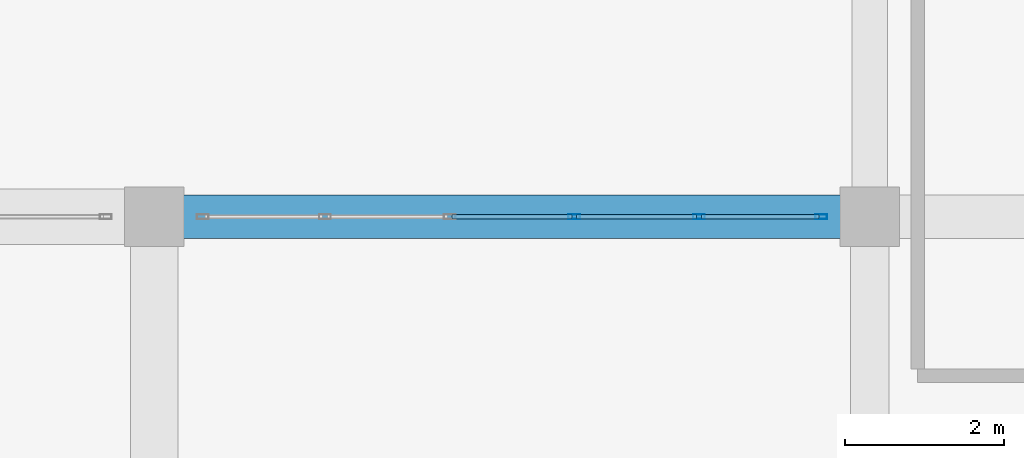
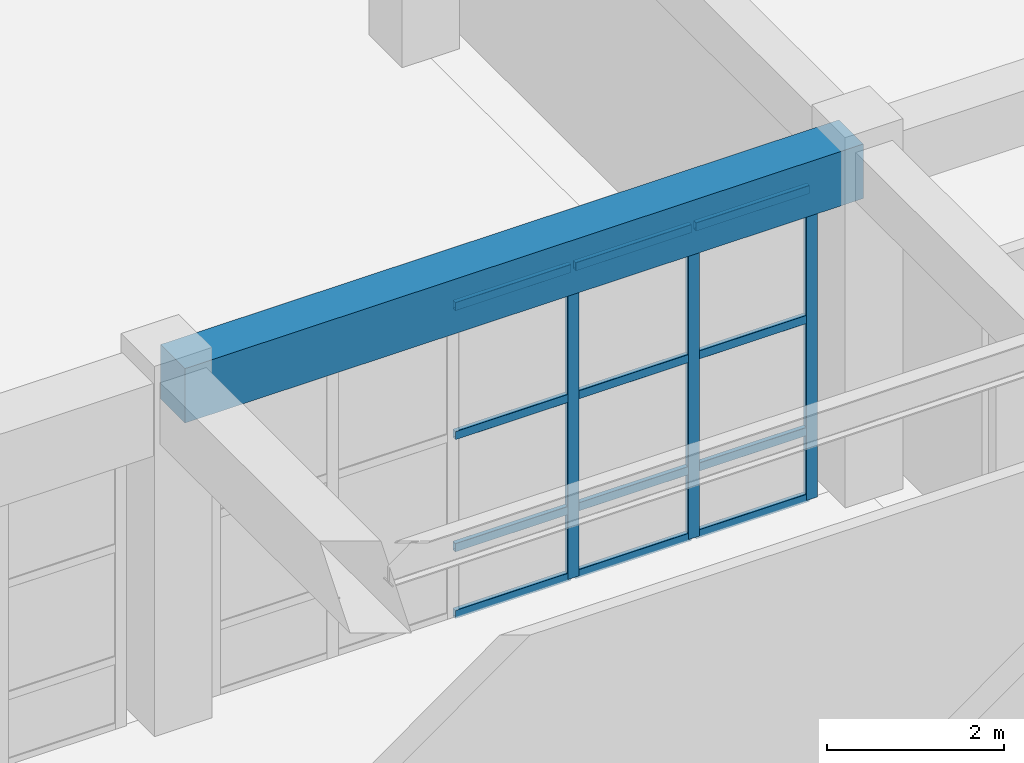
# One storey, part 79 of 128: 15 members, 1 beam, 1 element without a shape of its own.
"""IFC4 building model written with IfcOpenShell, lengths in metres."""

from ifc_helpers import new_model, si_unit, direction, frame, origin, origin_2d, place, context, subcontext, project, spatial, rectangle, hollow_rectangle, extrude, material, material_profile, profile_set, type_object, element, aggregate, save


model = new_model("IFC4")

# Units and contexts
model_context = context("Model", 3, precision=1e-05, world=origin(), true_north=direction((0.0, 1.0)))
body_context = subcontext(model_context, "Body", "Model", "MODEL_VIEW")
ifc_project = project(units=[si_unit("LENGTHUNIT", "METRE"), si_unit("AREAUNIT", "SQUARE_METRE"), si_unit("VOLUMEUNIT", "CUBIC_METRE"), si_unit("PLANEANGLEUNIT", "RADIAN"), si_unit("MASSUNIT", "GRAM", prefix="KILO")], contexts=[model_context])

# Site, building, storey
site_placement = place(None, origin())
site = spatial("IfcSite", under=ifc_project, at=site_placement, CompositionType="ELEMENT")
building_placement = place(site_placement, origin())
building = spatial("IfcBuilding", under=site, at=building_placement, Name="Miravela Opera House", CompositionType="ELEMENT")
storey_placement = place(building_placement, origin())
storey = spatial("IfcBuildingStorey", under=building, at=storey_placement, Name="L00", CompositionType="ELEMENT", Elevation=0.0)

# Curtain wall, members
ifc_material_1 = material(Name="Anodised architectural bronze aluminium 6063-T6", Category="aluminium")
curtain_wall_type = type_object("IfcCurtainWallType", Name="ARC-CW-05", PredefinedType="NOTDEFINED", material=ifc_material_1)
curtain_wall_placement = place(storey_placement, origin())
curtain_wall = element("IfcCurtainWall", 1, at=curtain_wall_placement, inside=storey, type_object=curtain_wall_type, Name="Courtyard Arcade Curtain Wall CW-L00-164", PredefinedType="NOTDEFINED")
ifc_material_profile_1 = material_profile(ifc_material_1, hollow_rectangle(XDim=0.06005859375, YDim=0.14990234375, WallThickness=0.00390625, InnerFilletRadius=0.001953125, OuterFilletRadius=0.00390625, at=origin_2d()), Name="CWM-60X150")
ifc_profile_set_1 = profile_set([ifc_material_profile_1])
member_type_1 = type_object("IfcMemberType", Name="ARC-CWM-150", PredefinedType="MULLION", material=ifc_profile_set_1)
member_1_placement = place(storey_placement, frame((140.283935546875, 84.0, 0.0), z_axis=(0.0, 0.0, 1.0), x_axis=(0.0, 1.0, 0.0)))
member_1 = element("IfcMember", 2, at=member_1_placement, type_object=member_type_1, Name="CW-05 mullion 4", PredefinedType="MULLION", context=body_context, shape_type="SweptSolid", body=[
    extrude(hollow_rectangle(XDim=0.06005859375, YDim=0.14990234375, WallThickness=0.00390625, InnerFilletRadius=0.001953125, OuterFilletRadius=0.00390625, at=origin_2d()), origin(), (0.0, 0.0, 1.0), 4.300048828125),
])
member_2_placement = place(storey_placement, frame((141.85205078125, 84.0, 0.0), z_axis=(0.0, 0.0, 1.0), x_axis=(0.0, 1.0, 0.0)))
member_2 = element("IfcMember", 3, at=member_2_placement, type_object=member_type_1, Name="CW-05 mullion 5", PredefinedType="MULLION", context=body_context, shape_type="SweptSolid", body=[
    extrude(hollow_rectangle(XDim=0.06005859375, YDim=0.14990234375, WallThickness=0.00390625, InnerFilletRadius=0.001953125, OuterFilletRadius=0.00390625, at=origin_2d()), origin(), (0.0, 0.0, 1.0), 4.300048828125),
])
member_3_placement = place(storey_placement, frame((143.389892578125, 84.0, 0.0), z_axis=(0.0, 0.0, 1.0), x_axis=(0.0, 1.0, 0.0)))
member_3 = element("IfcMember", 4, at=member_3_placement, type_object=member_type_1, Name="CW-05 mullion 6", PredefinedType="MULLION", context=body_context, shape_type="SweptSolid", body=[
    extrude(hollow_rectangle(XDim=0.06005859375, YDim=0.14990234375, WallThickness=0.00390625, InnerFilletRadius=0.001953125, OuterFilletRadius=0.00390625, at=origin_2d()), origin(), (0.0, 0.0, 1.0), 4.300048828125),
])
ifc_material_profile_2 = material_profile(ifc_material_1, hollow_rectangle(XDim=0.06005859375, YDim=0.114990234375, WallThickness=0.00390625, InnerFilletRadius=0.001953125, OuterFilletRadius=0.00390625, at=origin_2d()), Name="CWT-60X115")
ifc_profile_set_2 = profile_set([ifc_material_profile_2])
member_type_2 = type_object("IfcMemberType", Name="ARC-CWT-115", PredefinedType="USERDEFINED", material=ifc_profile_set_2)
member_4_placement = place(storey_placement, frame((138.74609375, 84.0, 0.030029296875), z_axis=(1.0, 0.0, 0.0), x_axis=(0.0, 1.0, 0.0)))
member_4 = element("IfcMember", 5, at=member_4_placement, type_object=member_type_2, Name="CW-05 transom 3.1", ObjectType="TRANSOM", PredefinedType="USERDEFINED", context=body_context, shape_type="SweptSolid", body=[
    extrude(hollow_rectangle(XDim=0.06005859375, YDim=0.114990234375, WallThickness=0.00390625, InnerFilletRadius=0.001953125, OuterFilletRadius=0.00390625, at=origin_2d()), origin(), (0.0, 0.0, 1.0), 1.5078125),
])
member_5_placement = place(storey_placement, frame((138.74609375, 84.0, 0.949951171875), z_axis=(1.0, 0.0, 0.0), x_axis=(0.0, 1.0, 0.0)))
member_5 = element("IfcMember", 6, at=member_5_placement, type_object=member_type_2, Name="CW-05 transom 3.2", ObjectType="TRANSOM", PredefinedType="USERDEFINED", context=body_context, shape_type="SweptSolid", body=[
    extrude(hollow_rectangle(XDim=0.06005859375, YDim=0.114990234375, WallThickness=0.00390625, InnerFilletRadius=0.001953125, OuterFilletRadius=0.00390625, at=origin_2d()), origin(), (0.0, 0.0, 1.0), 1.5078125),
])
member_6_placement = place(storey_placement, frame((138.74609375, 84.0, 2.493896484375), z_axis=(1.0, 0.0, 0.0), x_axis=(0.0, 1.0, 0.0)))
member_6 = element("IfcMember", 7, at=member_6_placement, type_object=member_type_2, Name="CW-05 transom 3.3", ObjectType="TRANSOM", PredefinedType="USERDEFINED", context=body_context, shape_type="SweptSolid", body=[
    extrude(hollow_rectangle(XDim=0.06005859375, YDim=0.114990234375, WallThickness=0.00390625, InnerFilletRadius=0.001953125, OuterFilletRadius=0.00390625, at=origin_2d()), origin(), (0.0, 0.0, 1.0), 1.5078125),
])
member_7_placement = place(storey_placement, frame((138.74609375, 84.0, 4.27001953125), z_axis=(1.0, 0.0, 0.0), x_axis=(0.0, 1.0, 0.0)))
member_7 = element("IfcMember", 8, at=member_7_placement, type_object=member_type_2, Name="CW-05 transom 3.4", ObjectType="TRANSOM", PredefinedType="USERDEFINED", context=body_context, shape_type="SweptSolid", body=[
    extrude(hollow_rectangle(XDim=0.06005859375, YDim=0.114990234375, WallThickness=0.00390625, InnerFilletRadius=0.001953125, OuterFilletRadius=0.00390625, at=origin_2d()), origin(), (0.0, 0.0, 1.0), 1.5078125),
])
member_8_placement = place(storey_placement, frame((140.31396484375, 84.0, 0.030029296875), z_axis=(1.0, 0.0, 0.0), x_axis=(0.0, 1.0, 0.0)))
member_8 = element("IfcMember", 9, at=member_8_placement, type_object=member_type_2, Name="CW-05 transom 4.1", ObjectType="TRANSOM", PredefinedType="USERDEFINED", context=body_context, shape_type="SweptSolid", body=[
    extrude(hollow_rectangle(XDim=0.06005859375, YDim=0.114990234375, WallThickness=0.00390625, InnerFilletRadius=0.001953125, OuterFilletRadius=0.00390625, at=origin_2d()), origin(), (0.0, 0.0, 1.0), 1.508056640625),
])
member_9_placement = place(storey_placement, frame((140.31396484375, 84.0, 0.949951171875), z_axis=(1.0, 0.0, 0.0), x_axis=(0.0, 1.0, 0.0)))
member_9 = element("IfcMember", 10, at=member_9_placement, type_object=member_type_2, Name="CW-05 transom 4.2", ObjectType="TRANSOM", PredefinedType="USERDEFINED", context=body_context, shape_type="SweptSolid", body=[
    extrude(hollow_rectangle(XDim=0.06005859375, YDim=0.114990234375, WallThickness=0.00390625, InnerFilletRadius=0.001953125, OuterFilletRadius=0.00390625, at=origin_2d()), origin(), (0.0, 0.0, 1.0), 1.508056640625),
])
member_10_placement = place(storey_placement, frame((140.31396484375, 84.0, 2.493896484375), z_axis=(1.0, 0.0, 0.0), x_axis=(0.0, 1.0, 0.0)))
member_10 = element("IfcMember", 11, at=member_10_placement, type_object=member_type_2, Name="CW-05 transom 4.3", ObjectType="TRANSOM", PredefinedType="USERDEFINED", context=body_context, shape_type="SweptSolid", body=[
    extrude(hollow_rectangle(XDim=0.06005859375, YDim=0.114990234375, WallThickness=0.00390625, InnerFilletRadius=0.001953125, OuterFilletRadius=0.00390625, at=origin_2d()), origin(), (0.0, 0.0, 1.0), 1.508056640625),
])
member_11_placement = place(storey_placement, frame((140.31396484375, 84.0, 4.27001953125), z_axis=(1.0, 0.0, 0.0), x_axis=(0.0, 1.0, 0.0)))
member_11 = element("IfcMember", 12, at=member_11_placement, type_object=member_type_2, Name="CW-05 transom 4.4", ObjectType="TRANSOM", PredefinedType="USERDEFINED", context=body_context, shape_type="SweptSolid", body=[
    extrude(hollow_rectangle(XDim=0.06005859375, YDim=0.114990234375, WallThickness=0.00390625, InnerFilletRadius=0.001953125, OuterFilletRadius=0.00390625, at=origin_2d()), origin(), (0.0, 0.0, 1.0), 1.508056640625),
])
member_12_placement = place(storey_placement, frame((141.882080078125, 84.0, 0.030029296875), z_axis=(1.0, 0.0, 0.0), x_axis=(0.0, 1.0, 0.0)))
member_12 = element("IfcMember", 13, at=member_12_placement, type_object=member_type_2, Name="CW-05 transom 5.1", ObjectType="TRANSOM", PredefinedType="USERDEFINED", context=body_context, shape_type="SweptSolid", body=[
    extrude(hollow_rectangle(XDim=0.06005859375, YDim=0.114990234375, WallThickness=0.00390625, InnerFilletRadius=0.001953125, OuterFilletRadius=0.00390625, at=origin_2d()), origin(), (0.0, 0.0, 1.0), 1.47802734375),
])
member_13_placement = place(storey_placement, frame((141.882080078125, 84.0, 0.949951171875), z_axis=(1.0, 0.0, 0.0), x_axis=(0.0, 1.0, 0.0)))
member_13 = element("IfcMember", 14, at=member_13_placement, type_object=member_type_2, Name="CW-05 transom 5.2", ObjectType="TRANSOM", PredefinedType="USERDEFINED", context=body_context, shape_type="SweptSolid", body=[
    extrude(hollow_rectangle(XDim=0.06005859375, YDim=0.114990234375, WallThickness=0.00390625, InnerFilletRadius=0.001953125, OuterFilletRadius=0.00390625, at=origin_2d()), origin(), (0.0, 0.0, 1.0), 1.47802734375),
])
member_14_placement = place(storey_placement, frame((141.882080078125, 84.0, 2.493896484375), z_axis=(1.0, 0.0, 0.0), x_axis=(0.0, 1.0, 0.0)))
member_14 = element("IfcMember", 15, at=member_14_placement, type_object=member_type_2, Name="CW-05 transom 5.3", ObjectType="TRANSOM", PredefinedType="USERDEFINED", context=body_context, shape_type="SweptSolid", body=[
    extrude(hollow_rectangle(XDim=0.06005859375, YDim=0.114990234375, WallThickness=0.00390625, InnerFilletRadius=0.001953125, OuterFilletRadius=0.00390625, at=origin_2d()), origin(), (0.0, 0.0, 1.0), 1.47802734375),
])
member_15_placement = place(storey_placement, frame((141.882080078125, 84.0, 4.27001953125), z_axis=(1.0, 0.0, 0.0), x_axis=(0.0, 1.0, 0.0)))
member_15 = element("IfcMember", 16, at=member_15_placement, type_object=member_type_2, Name="CW-05 transom 5.4", ObjectType="TRANSOM", PredefinedType="USERDEFINED", context=body_context, shape_type="SweptSolid", body=[
    extrude(hollow_rectangle(XDim=0.06005859375, YDim=0.114990234375, WallThickness=0.00390625, InnerFilletRadius=0.001953125, OuterFilletRadius=0.00390625, at=origin_2d()), origin(), (0.0, 0.0, 1.0), 1.47802734375),
])
aggregate(curtain_wall, [member_1, member_2, member_3, member_4, member_5, member_6, member_7, member_8, member_9, member_10, member_11, member_12, member_13, member_14, member_15])

# Beam
ifc_material_2 = material(Name="Concrete C35/45", Category="concrete")
ifc_material_profile_3 = material_profile(ifc_material_2, rectangle(XDim=0.550048828125, YDim=0.75, at=origin_2d()), Name="RC-BM-550X750")
ifc_profile_set_3 = profile_set([ifc_material_profile_3])
beam_type = type_object("IfcBeamType", Name="STR-BM-RC550X750", PredefinedType="BEAM", material=ifc_profile_set_3)
beam_placement = place(storey_placement, frame((135.080078125, 84.0, 4.47509765625), z_axis=(1.0, 0.0, 0.0), x_axis=(0.0, 1.0, 0.0)))
element("IfcBeam", 17, at=beam_placement, inside=storey, type_object=beam_type, Name="Floor Girder L00 16-17/J", PredefinedType="BEAM", context=body_context, shape_type="SweptSolid", body=[
    extrude(rectangle(XDim=0.550048828125, YDim=0.75, at=origin_2d()), origin(), (0.0, 0.0, 1.0), 8.83984375),
])

save(model, "model.ifc")
